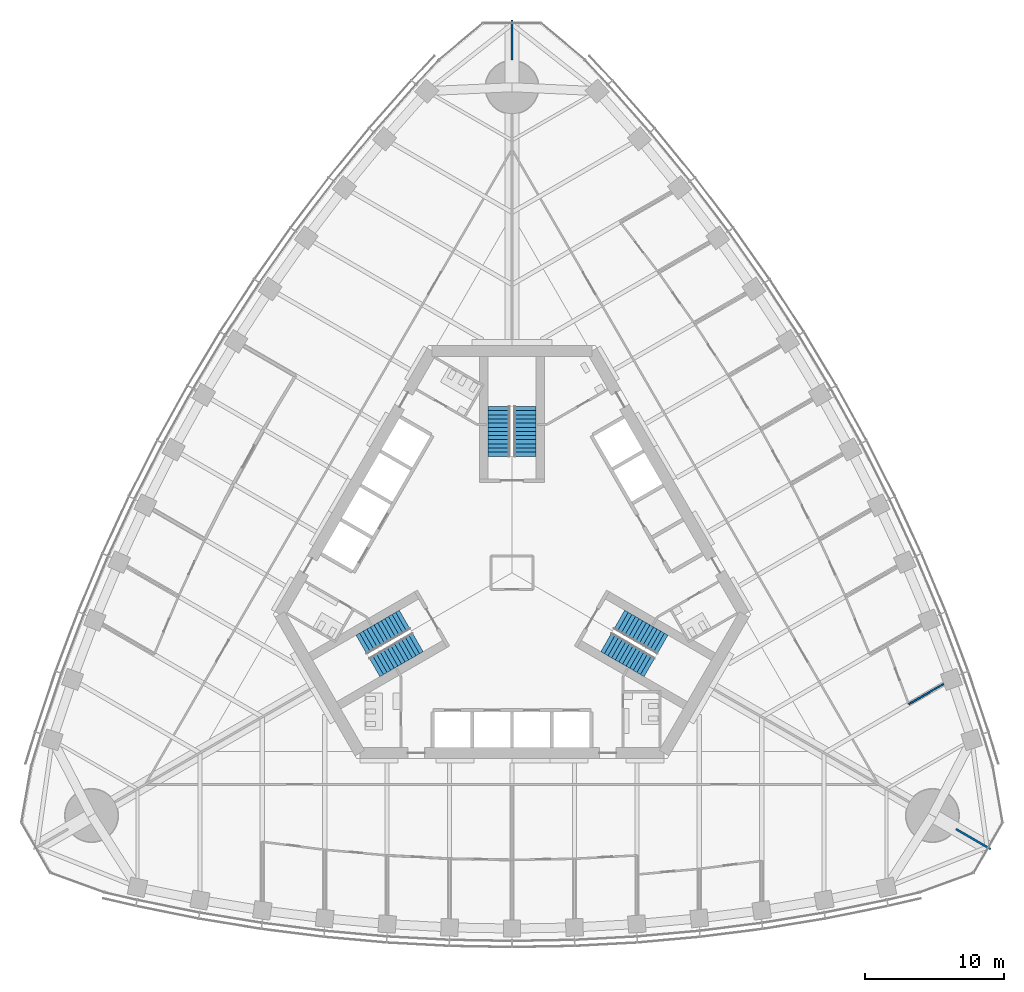
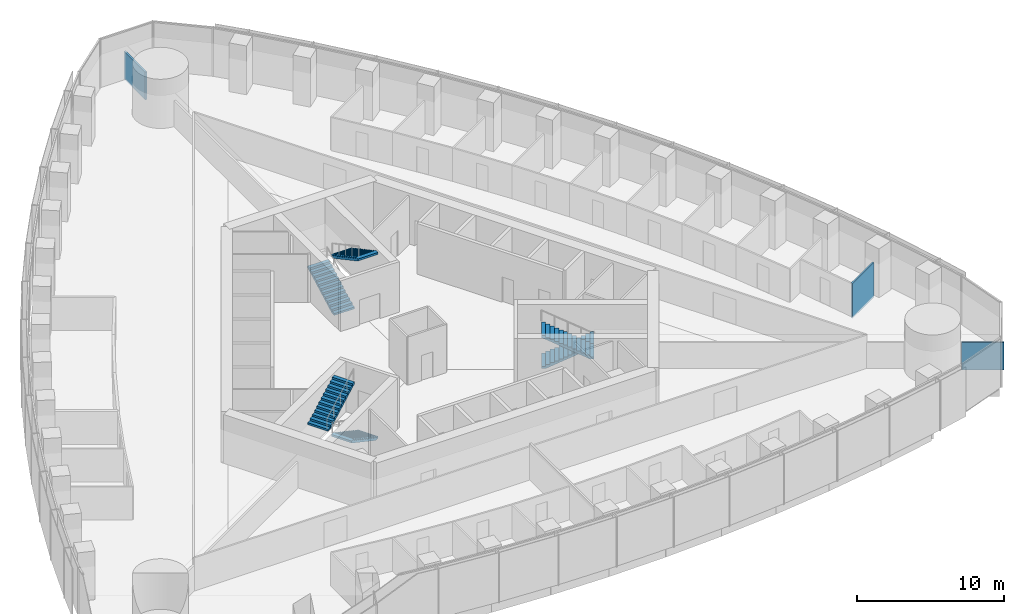
# One storey, part 16 of 21: 6 stair flights, 3 walls, 3 elements without a shape of their own.
"""IFC4 building model written with IfcOpenShell, lengths in metres."""

from ifc_helpers import new_model, si_unit, direction, frame, frame_2d, origin, place, context, subcontext, project, spatial, polyline, rectangle, outline, extrude, material, layer, layer_set, type_object, element, aggregate, save


model = new_model("IFC4")

# Units and contexts
model_context = context("Model", 3, precision=1e-05, world=origin(), true_north=direction((0.0, 1.0)))
body_context = subcontext(model_context, "Body", "Model", "MODEL_VIEW")
ifc_project = project(units=[si_unit("LENGTHUNIT", "METRE"), si_unit("AREAUNIT", "SQUARE_METRE"), si_unit("VOLUMEUNIT", "CUBIC_METRE"), si_unit("PLANEANGLEUNIT", "RADIAN"), si_unit("MASSUNIT", "GRAM", prefix="KILO")], contexts=[model_context])

# Site, building, storey
site_placement = place(None, origin())
site = spatial("IfcSite", under=ifc_project, at=site_placement, CompositionType="ELEMENT")
building_placement = place(site_placement, origin())
building = spatial("IfcBuilding", under=site, at=building_placement, Name="Trefoil Bronze Tower", CompositionType="ELEMENT")
storey_placement = place(building_placement, frame((0.0, 0.0, 149.300048828125)))
storey = spatial("IfcBuildingStorey", under=building, at=storey_placement, Name="L34", CompositionType="ELEMENT", Elevation=149.300048828125)

# Walls
ifc_material_1 = material(Name="Glazed partition", Category="glass")
ifc_layer_1 = layer(ifc_material_1, 0.1201171875)
ifc_layer_set_1 = layer_set([ifc_layer_1], Name="Glazed partition 120")
wall_type_1 = type_object("IfcWallType", Name="Glazed partition 120", PredefinedType="PARTITIONING", material=ifc_layer_set_1)
wall_1_placement = place(storey_placement, frame((28.6015625, -9.467529296875, 0.0), z_axis=(0.0, 0.0, 1.0), x_axis=(0.866051988355, 0.499953951347, 0.0)))
element("IfcWall", 1, at=wall_1_placement, inside=storey, type_object=wall_type_1, Name="Partition F2 L34", PredefinedType="PARTITIONING", context=body_context, shape_type="SweptSolid", body=[
    extrude(rectangle(XDim=2.890869140625, YDim=0.1201171875, at=frame_2d((1.4453125, 0.0))), origin(), (0.0, 0.0, 1.0), 2.89990234375),
])
ifc_material_2 = material(Name="Gypsum board on steel studs", Category="steel")
ifc_layer_2 = layer(ifc_material_2, 0.14990234375)
ifc_layer_set_2 = layer_set([ifc_layer_2], Name="Party wall 150")
wall_type_2 = type_object("IfcWallType", Name="Party wall 150", PredefinedType="PARTITIONING", material=ifc_layer_set_2)
wall_2_placement = place(storey_placement, frame((31.999755859375, -18.47509765625, 0.0), z_axis=(0.0, 0.0, 1.0), x_axis=(0.866042548026, -0.499970304126, 0.0)))
element("IfcWall", 2, at=wall_2_placement, inside=storey, type_object=wall_type_2, Name="Party wall K1 L34", PredefinedType="PARTITIONING", context=body_context, shape_type="SweptSolid", body=[
    extrude(rectangle(XDim=2.899169921875, YDim=0.14990234375, at=frame_2d((1.44970703125, 0.0))), origin(), (0.0, 0.0, 1.0), 2.300048828125),
])
wall_3_placement = place(storey_placement, frame((0.0, 36.949951171875, 0.0), z_axis=(0.0, 0.0, 1.0), x_axis=(0.0, 1.0, 0.0)))
element("IfcWall", 3, at=wall_3_placement, inside=storey, type_object=wall_type_2, Name="Party wall K2 L34", PredefinedType="PARTITIONING", context=body_context, shape_type="SweptSolid", body=[
    extrude(rectangle(XDim=2.8994140625, YDim=0.14990234375, at=frame_2d((1.44970703125, 0.0))), origin(), (0.0, 0.0, 1.0), 2.300048828125),
])

# Stair, stair flights
ifc_material_3 = material(Name="Precast concrete B80", Category="concrete")
stair_type = type_object("IfcStairType", Name="Exit stair 26 risers", PredefinedType="HALF_TURN_STAIR", material=ifc_material_3)
stair_1_placement = place(storey_placement, origin())
stair_1 = element("IfcStair", 4, at=stair_1_placement, inside=storey, type_object=stair_type, Name="Stair ST1 L34", PredefinedType="HALF_TURN_STAIR")
ifc_material_4 = material(Name="Precast concrete B80", Category="concrete")
stair_flight_type = type_object("IfcStairFlightType", Name="Stair flight 1600", PredefinedType="STRAIGHT", material=ifc_material_4)
stair_flight_1_placement = place(storey_placement, frame((7.728515625, -3.39404296875, 0.0), z_axis=(0.0, 0.0, 1.0), x_axis=(0.866025403784, -0.5, 0.0)))
stair_flight_1 = element("IfcStairFlight", 5, at=stair_flight_1_placement, type_object=stair_flight_type, Name="ST1 flight 1", NumberOfRisers=13, NumberOfTreads=12, PredefinedType="STRAIGHT", RiserHeight=0.161538462, TreadLength=0.3, context=body_context, shape_type="SweptSolid", body=[
    extrude(outline(polyline([(0.0, 0.0), (0.0, 0.16162109375), (0.300048828125, 0.16162109375), (0.300048828125, 0.322998046875), (0.60009765625, 0.322998046875), (0.60009765625, 0.484619140625), (0.89990234375, 0.484619140625), (0.89990234375, 0.646240234375), (1.199951171875, 0.646240234375), (1.199951171875, 0.8076171875), (1.5, 0.8076171875), (1.5, 0.96923828125), (1.800048828125, 0.96923828125), (1.800048828125, 1.130859375), (2.10009765625, 1.130859375), (2.10009765625, 1.292236328125), (2.39990234375, 1.292236328125), (2.39990234375, 1.453857421875), (2.699951171875, 1.453857421875), (2.699951171875, 1.615478515625), (3.0, 1.615478515625), (3.0, 1.77685546875), (3.300048828125, 1.77685546875), (3.300048828125, 1.9384765625), (3.60009765625, 1.9384765625), (3.60009765625, 2.10009765625), (3.60009765625, 1.768310546875), (0.316162109375, 0.0), (0.0, 0.0)])), frame((0.0, 0.800048828125, 0.0), z_axis=(0.0, -1.0, 0.0), x_axis=(1.0, 0.0, 0.0)), (0.0, 0.0, 1.0), 1.60009765625),
])
stair_flight_2_placement = place(storey_placement, frame((9.921142578125, -6.796142578125, 2.099853515625), z_axis=(0.0, 0.0, 1.0), x_axis=(-0.866025403784, 0.5, 0.0)))
stair_flight_2 = element("IfcStairFlight", 6, at=stair_flight_2_placement, type_object=stair_flight_type, Name="ST1 flight 2", NumberOfRisers=13, NumberOfTreads=12, PredefinedType="STRAIGHT", RiserHeight=0.161538462, TreadLength=0.3, context=body_context, shape_type="SweptSolid", body=[
    extrude(outline(polyline([(0.0, 0.0), (0.0, 0.16162109375), (0.300048828125, 0.16162109375), (0.300048828125, 0.322998046875), (0.60009765625, 0.322998046875), (0.60009765625, 0.484619140625), (0.89990234375, 0.484619140625), (0.89990234375, 0.646240234375), (1.199951171875, 0.646240234375), (1.199951171875, 0.8076171875), (1.5, 0.8076171875), (1.5, 0.96923828125), (1.800048828125, 0.96923828125), (1.800048828125, 1.130859375), (2.10009765625, 1.130859375), (2.10009765625, 1.292236328125), (2.39990234375, 1.292236328125), (2.39990234375, 1.453857421875), (2.699951171875, 1.453857421875), (2.699951171875, 1.615478515625), (3.0, 1.615478515625), (3.0, 1.77685546875), (3.300048828125, 1.77685546875), (3.300048828125, 1.9384765625), (3.60009765625, 1.9384765625), (3.60009765625, 2.10009765625), (3.60009765625, 1.768310546875), (0.316162109375, 0.0), (0.0, 0.0)])), frame((0.0, 0.800048828125, 0.0), z_axis=(0.0, -1.0, 0.0), x_axis=(1.0, 0.0, 0.0)), (0.0, 0.0, 1.0), 1.60009765625),
])
aggregate(stair_1, [stair_flight_1, stair_flight_2])

stair_2_placement = place(storey_placement, origin())
stair_2 = element("IfcStair", 7, at=stair_2_placement, inside=storey, type_object=stair_type, Name="Stair ST2 L34", PredefinedType="HALF_TURN_STAIR")
stair_flight_3_placement = place(storey_placement, frame((-0.925048828125, 8.389892578125, 0.0), z_axis=(0.0, 0.0, 1.0), x_axis=(0.0, 1.0, 0.0)))
stair_flight_3 = element("IfcStairFlight", 8, at=stair_flight_3_placement, type_object=stair_flight_type, Name="ST2 flight 1", NumberOfRisers=13, NumberOfTreads=12, PredefinedType="STRAIGHT", RiserHeight=0.161538462, TreadLength=0.3, context=body_context, shape_type="SweptSolid", body=[
    extrude(outline(polyline([(0.0, 0.0), (0.0, 0.16162109375), (0.300048828125, 0.16162109375), (0.300048828125, 0.322998046875), (0.60009765625, 0.322998046875), (0.60009765625, 0.484619140625), (0.89990234375, 0.484619140625), (0.89990234375, 0.646240234375), (1.199951171875, 0.646240234375), (1.199951171875, 0.8076171875), (1.5, 0.8076171875), (1.5, 0.96923828125), (1.800048828125, 0.96923828125), (1.800048828125, 1.130859375), (2.10009765625, 1.130859375), (2.10009765625, 1.292236328125), (2.39990234375, 1.292236328125), (2.39990234375, 1.453857421875), (2.699951171875, 1.453857421875), (2.699951171875, 1.615478515625), (3.0, 1.615478515625), (3.0, 1.77685546875), (3.300048828125, 1.77685546875), (3.300048828125, 1.9384765625), (3.60009765625, 1.9384765625), (3.60009765625, 2.10009765625), (3.60009765625, 1.768310546875), (0.316162109375, 0.0), (0.0, 0.0)])), frame((0.0, 0.800048828125, 0.0), z_axis=(0.0, -1.0, 0.0), x_axis=(1.0, 0.0, 0.0)), (0.0, 0.0, 1.0), 1.60009765625),
])
stair_flight_4_placement = place(storey_placement, frame((0.925048828125, 11.989990234375, 2.099853515625), z_axis=(0.0, 0.0, 1.0), x_axis=(0.0, -1.0, 0.0)))
stair_flight_4 = element("IfcStairFlight", 9, at=stair_flight_4_placement, type_object=stair_flight_type, Name="ST2 flight 2", NumberOfRisers=13, NumberOfTreads=12, PredefinedType="STRAIGHT", RiserHeight=0.161538462, TreadLength=0.3, context=body_context, shape_type="SweptSolid", body=[
    extrude(outline(polyline([(0.0, 0.0), (0.0, 0.16162109375), (0.300048828125, 0.16162109375), (0.300048828125, 0.322998046875), (0.60009765625, 0.322998046875), (0.60009765625, 0.484619140625), (0.89990234375, 0.484619140625), (0.89990234375, 0.646240234375), (1.199951171875, 0.646240234375), (1.199951171875, 0.8076171875), (1.5, 0.8076171875), (1.5, 0.96923828125), (1.800048828125, 0.96923828125), (1.800048828125, 1.130859375), (2.10009765625, 1.130859375), (2.10009765625, 1.292236328125), (2.39990234375, 1.292236328125), (2.39990234375, 1.453857421875), (2.699951171875, 1.453857421875), (2.699951171875, 1.615478515625), (3.0, 1.615478515625), (3.0, 1.77685546875), (3.300048828125, 1.77685546875), (3.300048828125, 1.9384765625), (3.60009765625, 1.9384765625), (3.60009765625, 2.10009765625), (3.60009765625, 1.768310546875), (0.316162109375, 0.0), (0.0, 0.0)])), frame((0.0, 0.800048828125, 0.0), z_axis=(0.0, -1.0, 0.0), x_axis=(1.0, 0.0, 0.0)), (0.0, 0.0, 1.0), 1.60009765625),
])
aggregate(stair_2, [stair_flight_3, stair_flight_4])

stair_3_placement = place(storey_placement, origin())
stair_3 = element("IfcStair", 10, at=stair_3_placement, inside=storey, type_object=stair_type, Name="Stair ST3 L34", PredefinedType="HALF_TURN_STAIR")
stair_flight_5_placement = place(storey_placement, frame((-6.803466796875, -4.99609375, 0.0), z_axis=(0.0, 0.0, 1.0), x_axis=(-0.866025403784, -0.5, 0.0)))
stair_flight_5 = element("IfcStairFlight", 11, at=stair_flight_5_placement, type_object=stair_flight_type, Name="ST3 flight 1", NumberOfRisers=13, NumberOfTreads=12, PredefinedType="STRAIGHT", RiserHeight=0.161538462, TreadLength=0.3, context=body_context, shape_type="SweptSolid", body=[
    extrude(outline(polyline([(0.0, 0.0), (0.0, 0.16162109375), (0.300048828125, 0.16162109375), (0.300048828125, 0.322998046875), (0.60009765625, 0.322998046875), (0.60009765625, 0.484619140625), (0.89990234375, 0.484619140625), (0.89990234375, 0.646240234375), (1.199951171875, 0.646240234375), (1.199951171875, 0.8076171875), (1.5, 0.8076171875), (1.5, 0.96923828125), (1.800048828125, 0.96923828125), (1.800048828125, 1.130859375), (2.10009765625, 1.130859375), (2.10009765625, 1.292236328125), (2.39990234375, 1.292236328125), (2.39990234375, 1.453857421875), (2.699951171875, 1.453857421875), (2.699951171875, 1.615478515625), (3.0, 1.615478515625), (3.0, 1.77685546875), (3.300048828125, 1.77685546875), (3.300048828125, 1.9384765625), (3.60009765625, 1.9384765625), (3.60009765625, 2.10009765625), (3.60009765625, 1.768310546875), (0.316162109375, 0.0), (0.0, 0.0)])), frame((0.0, 0.800048828125, 0.0), z_axis=(0.0, -1.0, 0.0), x_axis=(1.0, 0.0, 0.0)), (0.0, 0.0, 1.0), 1.60009765625),
])
stair_flight_6_placement = place(storey_placement, frame((-10.84619140625, -5.19384765625, 2.099853515625), z_axis=(0.0, 0.0, 1.0), x_axis=(0.866025403784, 0.5, 0.0)))
stair_flight_6 = element("IfcStairFlight", 12, at=stair_flight_6_placement, type_object=stair_flight_type, Name="ST3 flight 2", NumberOfRisers=13, NumberOfTreads=12, PredefinedType="STRAIGHT", RiserHeight=0.161538462, TreadLength=0.3, context=body_context, shape_type="SweptSolid", body=[
    extrude(outline(polyline([(0.0, 0.0), (0.0, 0.16162109375), (0.300048828125, 0.16162109375), (0.300048828125, 0.322998046875), (0.60009765625, 0.322998046875), (0.60009765625, 0.484619140625), (0.89990234375, 0.484619140625), (0.89990234375, 0.646240234375), (1.199951171875, 0.646240234375), (1.199951171875, 0.8076171875), (1.5, 0.8076171875), (1.5, 0.96923828125), (1.800048828125, 0.96923828125), (1.800048828125, 1.130859375), (2.10009765625, 1.130859375), (2.10009765625, 1.292236328125), (2.39990234375, 1.292236328125), (2.39990234375, 1.453857421875), (2.699951171875, 1.453857421875), (2.699951171875, 1.615478515625), (3.0, 1.615478515625), (3.0, 1.77685546875), (3.300048828125, 1.77685546875), (3.300048828125, 1.9384765625), (3.60009765625, 1.9384765625), (3.60009765625, 2.10009765625), (3.60009765625, 1.768310546875), (0.316162109375, 0.0), (0.0, 0.0)])), frame((0.0, 0.800048828125, 0.0), z_axis=(0.0, -1.0, 0.0), x_axis=(1.0, 0.0, 0.0)), (0.0, 0.0, 1.0), 1.60009765625),
])
aggregate(stair_3, [stair_flight_5, stair_flight_6])

save(model, "model.ifc")
